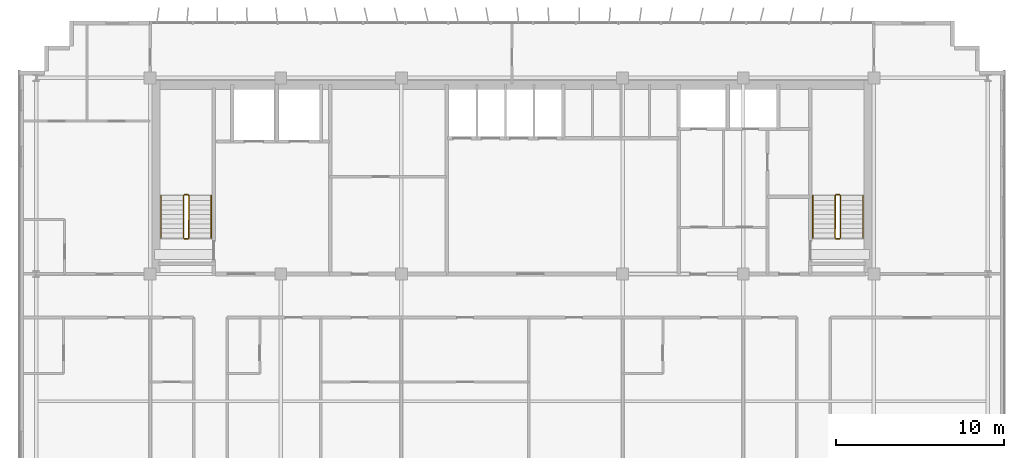
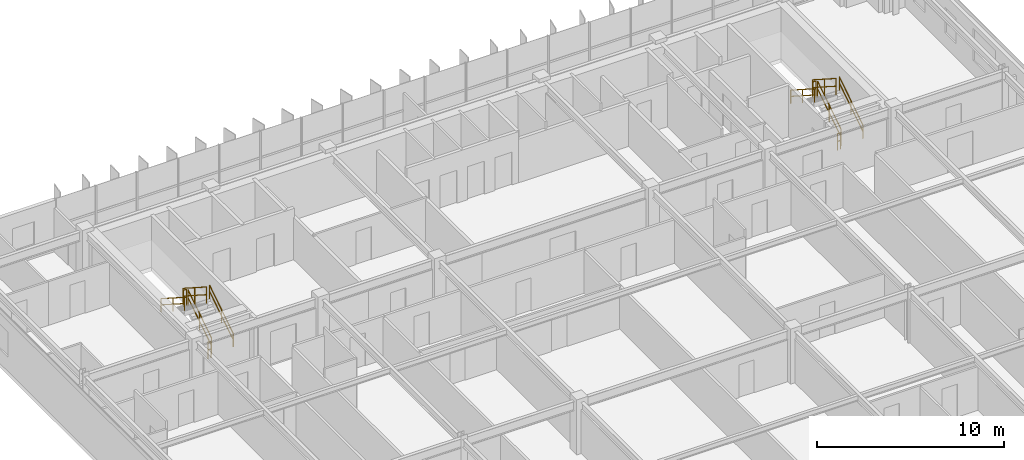
# One storey, part 20 of 20: 12 railings.
"""IFC4 building model written with IfcOpenShell, lengths in metres."""

from ifc_helpers import new_model, si_unit, direction, frame, origin, origin_2d, place, context, subcontext, project, spatial, rectangle, extrude, material, type_object, element, save


model = new_model("IFC4")

# Units and contexts
model_context = context("Model", 3, precision=1e-05, world=origin(), true_north=direction((0.0, 1.0)))
body_context = subcontext(model_context, "Body", "Model", "MODEL_VIEW")
ifc_project = project(units=[si_unit("LENGTHUNIT", "METRE"), si_unit("AREAUNIT", "SQUARE_METRE"), si_unit("VOLUMEUNIT", "CUBIC_METRE"), si_unit("PLANEANGLEUNIT", "RADIAN"), si_unit("MASSUNIT", "GRAM", prefix="KILO")], contexts=[model_context])

# Site, building, storey
site_placement = place(None, origin())
site = spatial("IfcSite", under=ifc_project, at=site_placement, CompositionType="ELEMENT")
building_placement = place(site_placement, origin())
building = spatial("IfcBuilding", under=site, at=building_placement, Name="Trelvane Seafront Commons", CompositionType="ELEMENT")
storey_placement = place(building_placement, frame((0.0, 0.0, 171.699951171875)))
storey = spatial("IfcBuildingStorey", under=building, at=storey_placement, Name="L45", CompositionType="ELEMENT", Elevation=171.699951171875)

# Railings
ifc_material = material(Name="Stainless steel balustrade", Category="steel")
railing_type_1 = type_object("IfcRailingType", Name="ARCH-SRL-GUARD", PredefinedType="GUARDRAIL", material=ifc_material)
railing_1_placement = place(storey_placement, frame((17.89990234375, 35.550048828125, 0.179931640625)))
element("IfcRailing", 1, at=railing_1_placement, inside=storey, type_object=railing_type_1, Name="L45 ST-1 stair guard 1", PredefinedType="GUARDRAIL", context=body_context, shape_type="SweptSolid", body=[
    extrude(rectangle(XDim=0.048095703125, YDim=0.048095703125, at=origin_2d()), frame((0.0, 0.0, 1.076171875), z_axis=(0.0, 0.841162588446, 0.540782303519), x_axis=(-1.0, 0.0, 0.0)), (0.0, 0.0, 1.0), 2.995849609375),
    extrude(rectangle(XDim=0.048095703125, YDim=0.048095703125, at=origin_2d()), frame((0.0, 0.0, 0.572021484375), z_axis=(0.0, 0.841162588446, 0.540782303519), x_axis=(-1.0, 0.0, 0.0)), (0.0, 0.0, 1.0), 2.995849609375),
    extrude(rectangle(XDim=0.0419921875, YDim=0.0419921875, at=origin_2d()), origin(), (0.0, 0.0, 1.0), 1.076171875),
    extrude(rectangle(XDim=0.0419921875, YDim=0.0419921875, at=origin_2d()), frame((0.0, 1.260009765625, 0.81005859375)), (0.0, 0.0, 1.0), 1.076171875),
    extrude(rectangle(XDim=0.0419921875, YDim=0.0419921875, at=origin_2d()), frame((0.0, 2.52001953125, 1.6201171875)), (0.0, 0.0, 1.0), 1.076171875),
])
railing_2_placement = place(storey_placement, frame((17.85009765625, 38.1201171875, 1.800048828125)))
element("IfcRailing", 2, at=railing_2_placement, inside=storey, type_object=railing_type_1, Name="L45 ST-1 stair guard 2", PredefinedType="GUARDRAIL", context=body_context, shape_type="SweptSolid", body=[
    extrude(rectangle(XDim=0.048095703125, YDim=0.048095703125, at=origin_2d()), frame((0.0, 0.0, 1.076171875), z_axis=(-1.0, 0.0, 0.0), x_axis=(0.0, -1.0, 0.0)), (0.0, 0.0, 1.0), 0.2001953125),
    extrude(rectangle(XDim=0.048095703125, YDim=0.048095703125, at=origin_2d()), frame((0.0, 0.0, 0.572021484375), z_axis=(-1.0, 0.0, 0.0), x_axis=(0.0, -1.0, 0.0)), (0.0, 0.0, 1.0), 0.2001953125),
    extrude(rectangle(XDim=0.0419921875, YDim=0.0419921875, at=origin_2d()), origin(), (0.0, 0.0, 1.0), 1.076171875),
    extrude(rectangle(XDim=0.0419921875, YDim=0.0419921875, at=origin_2d()), frame((-0.2001953125, 0.0, 0.0)), (0.0, 0.0, 1.0), 1.076171875),
])
railing_3_placement = place(storey_placement, frame((17.60009765625, 38.070068359375, 1.97998046875)))
element("IfcRailing", 3, at=railing_3_placement, inside=storey, type_object=railing_type_1, Name="L45 ST-1 stair guard 3", PredefinedType="GUARDRAIL", context=body_context, shape_type="SweptSolid", body=[
    extrude(rectangle(XDim=0.048095703125, YDim=0.048095703125, at=origin_2d()), frame((0.0, 0.0, 1.076171875), z_axis=(0.0, -0.841162588446, 0.540782303519), x_axis=(1.0, 0.0, 0.0)), (0.0, 0.0, 1.0), 2.995849609375),
    extrude(rectangle(XDim=0.048095703125, YDim=0.048095703125, at=origin_2d()), frame((0.0, 0.0, 0.572021484375), z_axis=(0.0, -0.841162588446, 0.540782303519), x_axis=(1.0, 0.0, 0.0)), (0.0, 0.0, 1.0), 2.995849609375),
    extrude(rectangle(XDim=0.0419921875, YDim=0.0419921875, at=origin_2d()), origin(), (0.0, 0.0, 1.0), 1.076171875),
    extrude(rectangle(XDim=0.0419921875, YDim=0.0419921875, at=origin_2d()), frame((0.0, -1.260009765625, 0.81005859375)), (0.0, 0.0, 1.0), 1.076171875),
    extrude(rectangle(XDim=0.0419921875, YDim=0.0419921875, at=origin_2d()), frame((0.0, -2.52001953125, 1.6201171875)), (0.0, 0.0, 1.0), 1.076171875),
])
railing_4_placement = place(storey_placement, frame((17.85009765625, 35.5, 0.0)))
element("IfcRailing", 4, at=railing_4_placement, inside=storey, type_object=railing_type_1, Name="L45 ST-1 stair guard 4", PredefinedType="GUARDRAIL", context=body_context, shape_type="SweptSolid", body=[
    extrude(rectangle(XDim=0.048095703125, YDim=0.048095703125, at=origin_2d()), frame((0.0, 0.0, 1.076171875), z_axis=(-1.0, 0.0, 0.0), x_axis=(0.0, -1.0, 0.0)), (0.0, 0.0, 1.0), 0.2001953125),
    extrude(rectangle(XDim=0.048095703125, YDim=0.048095703125, at=origin_2d()), frame((0.0, 0.0, 0.572021484375), z_axis=(-1.0, 0.0, 0.0), x_axis=(0.0, -1.0, 0.0)), (0.0, 0.0, 1.0), 0.2001953125),
    extrude(rectangle(XDim=0.0419921875, YDim=0.0419921875, at=origin_2d()), origin(), (0.0, 0.0, 1.0), 1.076171875),
    extrude(rectangle(XDim=0.0419921875, YDim=0.0419921875, at=origin_2d()), frame((-0.2001953125, 0.0, 0.0)), (0.0, 0.0, 1.0), 1.076171875),
])
railing_5_placement = place(storey_placement, frame((56.800048828125, 35.550048828125, 0.179931640625)))
element("IfcRailing", 5, at=railing_5_placement, inside=storey, type_object=railing_type_1, Name="L45 ST-2 stair guard 1", PredefinedType="GUARDRAIL", context=body_context, shape_type="SweptSolid", body=[
    extrude(rectangle(XDim=0.048095703125, YDim=0.048095703125, at=origin_2d()), frame((0.0, 0.0, 1.076171875), z_axis=(0.0, 0.841162588446, 0.540782303519), x_axis=(-1.0, 0.0, 0.0)), (0.0, 0.0, 1.0), 2.995849609375),
    extrude(rectangle(XDim=0.048095703125, YDim=0.048095703125, at=origin_2d()), frame((0.0, 0.0, 0.572021484375), z_axis=(0.0, 0.841162588446, 0.540782303519), x_axis=(-1.0, 0.0, 0.0)), (0.0, 0.0, 1.0), 2.995849609375),
    extrude(rectangle(XDim=0.0419921875, YDim=0.0419921875, at=origin_2d()), origin(), (0.0, 0.0, 1.0), 1.076171875),
    extrude(rectangle(XDim=0.0419921875, YDim=0.0419921875, at=origin_2d()), frame((0.0, 1.260009765625, 0.81005859375)), (0.0, 0.0, 1.0), 1.076171875),
    extrude(rectangle(XDim=0.0419921875, YDim=0.0419921875, at=origin_2d()), frame((0.0, 2.52001953125, 1.6201171875)), (0.0, 0.0, 1.0), 1.076171875),
])
railing_6_placement = place(storey_placement, frame((56.75, 38.1201171875, 1.800048828125)))
element("IfcRailing", 6, at=railing_6_placement, inside=storey, type_object=railing_type_1, Name="L45 ST-2 stair guard 2", PredefinedType="GUARDRAIL", context=body_context, shape_type="SweptSolid", body=[
    extrude(rectangle(XDim=0.048095703125, YDim=0.048095703125, at=origin_2d()), frame((0.0, 0.0, 1.076171875), z_axis=(-1.0, 0.0, 0.0), x_axis=(0.0, -1.0, 0.0)), (0.0, 0.0, 1.0), 0.199951171875),
    extrude(rectangle(XDim=0.048095703125, YDim=0.048095703125, at=origin_2d()), frame((0.0, 0.0, 0.572021484375), z_axis=(-1.0, 0.0, 0.0), x_axis=(0.0, -1.0, 0.0)), (0.0, 0.0, 1.0), 0.199951171875),
    extrude(rectangle(XDim=0.0419921875, YDim=0.0419921875, at=origin_2d()), origin(), (0.0, 0.0, 1.0), 1.076171875),
    extrude(rectangle(XDim=0.0419921875, YDim=0.0419921875, at=origin_2d()), frame((-0.199951171875, 0.0, 0.0)), (0.0, 0.0, 1.0), 1.076171875),
])
railing_7_placement = place(storey_placement, frame((56.5, 38.070068359375, 1.97998046875)))
element("IfcRailing", 7, at=railing_7_placement, inside=storey, type_object=railing_type_1, Name="L45 ST-2 stair guard 3", PredefinedType="GUARDRAIL", context=body_context, shape_type="SweptSolid", body=[
    extrude(rectangle(XDim=0.048095703125, YDim=0.048095703125, at=origin_2d()), frame((0.0, 0.0, 1.076171875), z_axis=(0.0, -0.841162588446, 0.540782303519), x_axis=(1.0, 0.0, 0.0)), (0.0, 0.0, 1.0), 2.995849609375),
    extrude(rectangle(XDim=0.048095703125, YDim=0.048095703125, at=origin_2d()), frame((0.0, 0.0, 0.572021484375), z_axis=(0.0, -0.841162588446, 0.540782303519), x_axis=(1.0, 0.0, 0.0)), (0.0, 0.0, 1.0), 2.995849609375),
    extrude(rectangle(XDim=0.0419921875, YDim=0.0419921875, at=origin_2d()), origin(), (0.0, 0.0, 1.0), 1.076171875),
    extrude(rectangle(XDim=0.0419921875, YDim=0.0419921875, at=origin_2d()), frame((0.0, -1.260009765625, 0.81005859375)), (0.0, 0.0, 1.0), 1.076171875),
    extrude(rectangle(XDim=0.0419921875, YDim=0.0419921875, at=origin_2d()), frame((0.0, -2.52001953125, 1.6201171875)), (0.0, 0.0, 1.0), 1.076171875),
])
railing_8_placement = place(storey_placement, frame((56.75, 35.5, 0.0)))
element("IfcRailing", 8, at=railing_8_placement, inside=storey, type_object=railing_type_1, Name="L45 ST-2 stair guard 4", PredefinedType="GUARDRAIL", context=body_context, shape_type="SweptSolid", body=[
    extrude(rectangle(XDim=0.048095703125, YDim=0.048095703125, at=origin_2d()), frame((0.0, 0.0, 1.076171875), z_axis=(-1.0, 0.0, 0.0), x_axis=(0.0, -1.0, 0.0)), (0.0, 0.0, 1.0), 0.199951171875),
    extrude(rectangle(XDim=0.048095703125, YDim=0.048095703125, at=origin_2d()), frame((0.0, 0.0, 0.572021484375), z_axis=(-1.0, 0.0, 0.0), x_axis=(0.0, -1.0, 0.0)), (0.0, 0.0, 1.0), 0.199951171875),
    extrude(rectangle(XDim=0.0419921875, YDim=0.0419921875, at=origin_2d()), origin(), (0.0, 0.0, 1.0), 1.076171875),
    extrude(rectangle(XDim=0.0419921875, YDim=0.0419921875, at=origin_2d()), frame((-0.199951171875, 0.0, 0.0)), (0.0, 0.0, 1.0), 1.076171875),
])
railing_type_2 = type_object("IfcRailingType", Name="ARCH-SRL-HAND", PredefinedType="HANDRAIL", material=ifc_material)
railing_9_placement = place(storey_placement, frame((19.25, 35.550048828125, 0.179931640625)))
element("IfcRailing", 9, at=railing_9_placement, inside=storey, type_object=railing_type_2, Name="L45 ST-1 stair handrail 1", PredefinedType="HANDRAIL", context=body_context, shape_type="SweptSolid", body=[
    extrude(rectangle(XDim=0.048095703125, YDim=0.048095703125, at=origin_2d()), frame((0.0, 0.0, 0.8759765625), z_axis=(0.0, 0.841162588446, 0.540782303519), x_axis=(-1.0, 0.0, 0.0)), (0.0, 0.0, 1.0), 2.995849609375),
    extrude(rectangle(XDim=0.048095703125, YDim=0.048095703125, at=origin_2d()), frame((0.0, 0.0, 0.468017578125), z_axis=(0.0, 0.841162588446, 0.540782303519), x_axis=(-1.0, 0.0, 0.0)), (0.0, 0.0, 1.0), 2.995849609375),
    extrude(rectangle(XDim=0.0419921875, YDim=0.0419921875, at=origin_2d()), origin(), (0.0, 0.0, 1.0), 0.8759765625),
    extrude(rectangle(XDim=0.0419921875, YDim=0.0419921875, at=origin_2d()), frame((0.0, 1.260009765625, 0.81005859375)), (0.0, 0.0, 1.0), 0.8759765625),
    extrude(rectangle(XDim=0.0419921875, YDim=0.0419921875, at=origin_2d()), frame((0.0, 2.52001953125, 1.6201171875)), (0.0, 0.0, 1.0), 0.8759765625),
])
railing_10_placement = place(storey_placement, frame((16.25, 38.070068359375, 1.97998046875)))
element("IfcRailing", 10, at=railing_10_placement, inside=storey, type_object=railing_type_2, Name="L45 ST-1 stair handrail 2", PredefinedType="HANDRAIL", context=body_context, shape_type="SweptSolid", body=[
    extrude(rectangle(XDim=0.048095703125, YDim=0.048095703125, at=origin_2d()), frame((0.0, 0.0, 0.8759765625), z_axis=(0.0, -0.841162588446, 0.540782303519), x_axis=(1.0, 0.0, 0.0)), (0.0, 0.0, 1.0), 2.995849609375),
    extrude(rectangle(XDim=0.048095703125, YDim=0.048095703125, at=origin_2d()), frame((0.0, 0.0, 0.468017578125), z_axis=(0.0, -0.841162588446, 0.540782303519), x_axis=(1.0, 0.0, 0.0)), (0.0, 0.0, 1.0), 2.995849609375),
    extrude(rectangle(XDim=0.0419921875, YDim=0.0419921875, at=origin_2d()), origin(), (0.0, 0.0, 1.0), 0.8759765625),
    extrude(rectangle(XDim=0.0419921875, YDim=0.0419921875, at=origin_2d()), frame((0.0, -1.260009765625, 0.81005859375)), (0.0, 0.0, 1.0), 0.8759765625),
    extrude(rectangle(XDim=0.0419921875, YDim=0.0419921875, at=origin_2d()), frame((0.0, -2.52001953125, 1.6201171875)), (0.0, 0.0, 1.0), 0.8759765625),
])
railing_11_placement = place(storey_placement, frame((58.14990234375, 35.550048828125, 0.179931640625)))
element("IfcRailing", 11, at=railing_11_placement, inside=storey, type_object=railing_type_2, Name="L45 ST-2 stair handrail 1", PredefinedType="HANDRAIL", context=body_context, shape_type="SweptSolid", body=[
    extrude(rectangle(XDim=0.048095703125, YDim=0.048095703125, at=origin_2d()), frame((0.0, 0.0, 0.8759765625), z_axis=(0.0, 0.841162588446, 0.540782303519), x_axis=(-1.0, 0.0, 0.0)), (0.0, 0.0, 1.0), 2.995849609375),
    extrude(rectangle(XDim=0.048095703125, YDim=0.048095703125, at=origin_2d()), frame((0.0, 0.0, 0.468017578125), z_axis=(0.0, 0.841162588446, 0.540782303519), x_axis=(-1.0, 0.0, 0.0)), (0.0, 0.0, 1.0), 2.995849609375),
    extrude(rectangle(XDim=0.0419921875, YDim=0.0419921875, at=origin_2d()), origin(), (0.0, 0.0, 1.0), 0.8759765625),
    extrude(rectangle(XDim=0.0419921875, YDim=0.0419921875, at=origin_2d()), frame((0.0, 1.260009765625, 0.81005859375)), (0.0, 0.0, 1.0), 0.8759765625),
    extrude(rectangle(XDim=0.0419921875, YDim=0.0419921875, at=origin_2d()), frame((0.0, 2.52001953125, 1.6201171875)), (0.0, 0.0, 1.0), 0.8759765625),
])
railing_12_placement = place(storey_placement, frame((55.14990234375, 38.070068359375, 1.97998046875)))
element("IfcRailing", 12, at=railing_12_placement, inside=storey, type_object=railing_type_2, Name="L45 ST-2 stair handrail 2", PredefinedType="HANDRAIL", context=body_context, shape_type="SweptSolid", body=[
    extrude(rectangle(XDim=0.048095703125, YDim=0.048095703125, at=origin_2d()), frame((0.0, 0.0, 0.8759765625), z_axis=(0.0, -0.841162588446, 0.540782303519), x_axis=(1.0, 0.0, 0.0)), (0.0, 0.0, 1.0), 2.995849609375),
    extrude(rectangle(XDim=0.048095703125, YDim=0.048095703125, at=origin_2d()), frame((0.0, 0.0, 0.468017578125), z_axis=(0.0, -0.841162588446, 0.540782303519), x_axis=(1.0, 0.0, 0.0)), (0.0, 0.0, 1.0), 2.995849609375),
    extrude(rectangle(XDim=0.0419921875, YDim=0.0419921875, at=origin_2d()), origin(), (0.0, 0.0, 1.0), 0.8759765625),
    extrude(rectangle(XDim=0.0419921875, YDim=0.0419921875, at=origin_2d()), frame((0.0, -1.260009765625, 0.81005859375)), (0.0, 0.0, 1.0), 0.8759765625),
    extrude(rectangle(XDim=0.0419921875, YDim=0.0419921875, at=origin_2d()), frame((0.0, -2.52001953125, 1.6201171875)), (0.0, 0.0, 1.0), 0.8759765625),
])

save(model, "model.ifc")
